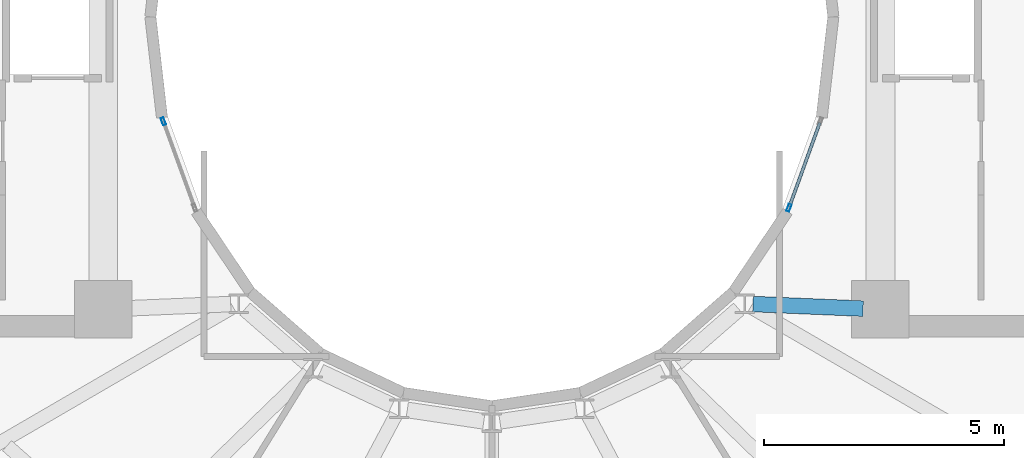
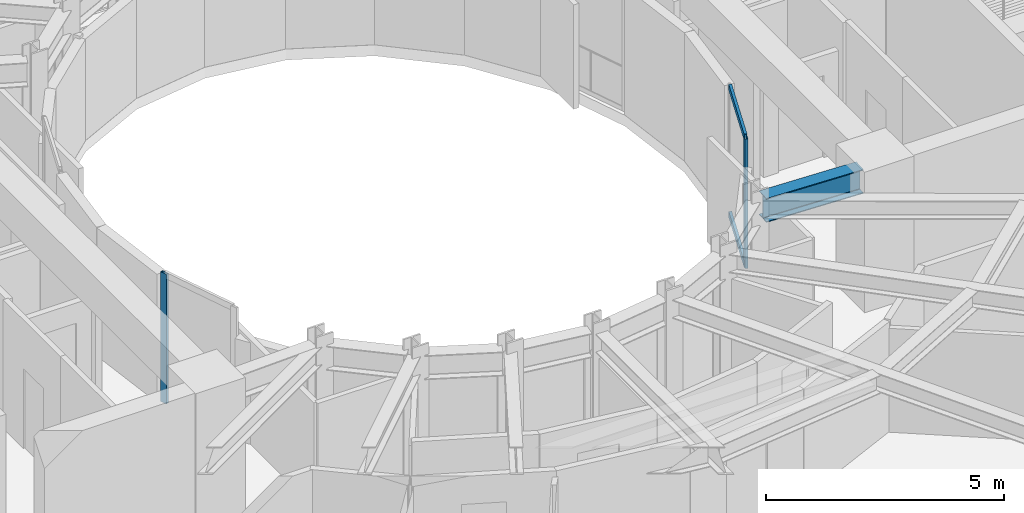
# One storey, part 6 of 24: 4 members, 1 beam, 2 elements without a shape of their own.
"""IFC4 building model written with IfcOpenShell, lengths in metres."""

from ifc_helpers import new_model, si_unit, direction, frame, origin, origin_2d, place, context, subcontext, project, spatial, hollow_rectangle, i_section, extrude, material, layer, layer_set, material_profile, profile_set, type_object, element, aggregate, save


model = new_model("IFC4")

# Units and contexts
model_context = context("Model", 3, precision=1e-05, world=origin(), true_north=direction((0.0, 1.0)))
body_context = subcontext(model_context, "Body", "Model", "MODEL_VIEW")
ifc_project = project(units=[si_unit("LENGTHUNIT", "METRE"), si_unit("AREAUNIT", "SQUARE_METRE"), si_unit("VOLUMEUNIT", "CUBIC_METRE"), si_unit("PLANEANGLEUNIT", "RADIAN"), si_unit("MASSUNIT", "GRAM", prefix="KILO")], contexts=[model_context])

# Site, building, storey
site_placement = place(None, origin())
site = spatial("IfcSite", under=ifc_project, at=site_placement, CompositionType="ELEMENT")
building_placement = place(site_placement, origin())
building = spatial("IfcBuilding", under=site, at=building_placement, Name="Solvane Sanctuary Tower", CompositionType="ELEMENT")
storey_placement = place(building_placement, frame((0.0, 0.0, 253.199951171875)))
storey = spatial("IfcBuildingStorey", under=building, at=storey_placement, Name="L77", CompositionType="ELEMENT", Elevation=253.199951171875)

# Beam
ifc_material_1 = material(Name="Steel ASTM A992 Grade 50", Category="steel")
ifc_material_profile_1 = material_profile(ifc_material_1, i_section(OverallWidth=0.324951171875, OverallDepth=0.615966796875, WebThickness=0.013916015625, FlangeThickness=0.021484375, FilletRadius=0.01611328125, at=origin_2d()), Name="W24X117")
ifc_profile_set_1 = profile_set([ifc_material_profile_1], Name="Steel ASTM A992 Grade 50")
beam_type = type_object("IfcBeamType", Name="Beam B-RING-IN2 W24X117", PredefinedType="BEAM", material=ifc_profile_set_1)
beam_placement = place(storey_placement, frame((37.44482421875, 17.0107421875, 3.010009765625), z_axis=(0.9991319677, -0.04165706566, 0.0), x_axis=(0.04165706566, 0.9991319677, 0.0)))
element("IfcBeam", 1, at=beam_placement, inside=storey, type_object=beam_type, Name="L77 Inner Light-Well Ring Beam IC14-CE1", PredefinedType="BEAM", context=body_context, shape_type="SweptSolid", body=[
    extrude(i_section(OverallWidth=0.324951171875, OverallDepth=0.615966796875, WebThickness=0.013916015625, FlangeThickness=0.021484375, FilletRadius=0.01611328125, at=origin_2d()), origin(), (0.0, 0.0, 1.0), 2.29736328125),
])

# Curtain wall, member
ifc_material_2 = material(Name="Anodised Aluminium 6063-T6", Category="aluminium")
ifc_layer = layer(ifc_material_2, 0.199951171875, Name="Anodised Aluminium 6063-T6")
ifc_layer_set = layer_set([ifc_layer], Name="Anodised Aluminium 6063-T6")
curtain_wall_type = type_object("IfcCurtainWallType", Name="Curtain Wall CW-WELL", PredefinedType="NOTDEFINED", material=ifc_layer_set)
curtain_wall_1_placement = place(storey_placement, origin())
curtain_wall_1 = element("IfcCurtainWall", 2, at=curtain_wall_1_placement, inside=storey, type_object=curtain_wall_type, Name="L77 Light-Well Glazed Curtain Wall 13", PredefinedType="NOTDEFINED")
ifc_material_profile_2 = material_profile(ifc_material_2, hollow_rectangle(XDim=0.06494140625, YDim=0.159912109375, WallThickness=0.00341796875, at=origin_2d()), Name="ALU160X65X3.5")
ifc_profile_set_2 = profile_set([ifc_material_profile_2], Name="Anodised Aluminium 6063-T6")
member_type_1 = type_object("IfcMemberType", Name="Member M-CW-MUL-2 ALU160X65X3.5", PredefinedType="MULLION", material=ifc_profile_set_2)
member_1_placement = place(storey_placement, frame((25.15087890625, 20.82080078125, 0.0), z_axis=(0.0, 0.0, 1.0), x_axis=(0.939933181429, 0.341358483781, 0.0)))
member_1 = element("IfcMember", 3, at=member_1_placement, type_object=member_type_1, Name="CW-WELL mullion 1", PredefinedType="MULLION", context=body_context, shape_type="SweptSolid", body=[
    extrude(hollow_rectangle(XDim=0.06494140625, YDim=0.159912109375, WallThickness=0.00341796875, at=origin_2d()), origin(), (0.0, 0.0, 1.0), 3.320068359375),
])
aggregate(curtain_wall_1, [member_1])

# Curtain wall, members
curtain_wall_2_placement = place(storey_placement, origin())
curtain_wall_2 = element("IfcCurtainWall", 4, at=curtain_wall_2_placement, inside=storey, type_object=curtain_wall_type, Name="L77 Light-Well Glazed Curtain Wall 22", PredefinedType="NOTDEFINED")
member_2_placement = place(storey_placement, frame((38.1943359375, 19.017578125, 0.0), z_axis=(0.0, 0.0, 1.0), x_axis=(-0.939933181429, 0.341358483781, 0.0)))
member_2 = element("IfcMember", 5, at=member_2_placement, type_object=member_type_1, Name="CW-WELL mullion 1", PredefinedType="MULLION", context=body_context, shape_type="SweptSolid", body=[
    extrude(hollow_rectangle(XDim=0.06494140625, YDim=0.159912109375, WallThickness=0.00341796875, at=origin_2d()), origin(), (0.0, 0.0, 1.0), 3.320068359375),
])
ifc_material_profile_3 = material_profile(ifc_material_2, hollow_rectangle(XDim=0.06494140625, YDim=0.159912109375, WallThickness=0.00341796875, at=origin_2d()), Name="ALU160X65X3.5")
ifc_profile_set_3 = profile_set([ifc_material_profile_3], Name="Anodised Aluminium 6063-T6")
member_type_2 = type_object("IfcMemberType", Name="Member M-CW-TRN-1 ALU160X65X3.5", PredefinedType="USERDEFINED", material=ifc_profile_set_3)
member_3_placement = place(storey_placement, frame((38.205322265625, 19.048095703125, 0.032470703125), z_axis=(0.341404620561, 0.939916424508, 0.0), x_axis=(-0.939916424508, 0.341404620561, 0.0)))
member_3 = element("IfcMember", 6, at=member_3_placement, type_object=member_type_2, Name="CW-WELL transom 1.1", ObjectType="TRANSOM", PredefinedType="USERDEFINED", context=body_context, shape_type="SweptSolid", body=[
    extrude(hollow_rectangle(XDim=0.06494140625, YDim=0.159912109375, WallThickness=0.00341796875, at=origin_2d()), origin(), (0.0, 0.0, 1.0), 1.853515625),
])
member_4_placement = place(storey_placement, frame((38.205322265625, 19.048095703125, 3.28759765625), z_axis=(0.341404620561, 0.939916424508, 0.0), x_axis=(-0.939916424508, 0.341404620561, 0.0)))
member_4 = element("IfcMember", 7, at=member_4_placement, type_object=member_type_2, Name="CW-WELL transom 1.2", ObjectType="TRANSOM", PredefinedType="USERDEFINED", context=body_context, shape_type="SweptSolid", body=[
    extrude(hollow_rectangle(XDim=0.06494140625, YDim=0.159912109375, WallThickness=0.00341796875, at=origin_2d()), origin(), (0.0, 0.0, 1.0), 1.853515625),
])
aggregate(curtain_wall_2, [member_2, member_3, member_4])

save(model, "model.ifc")
